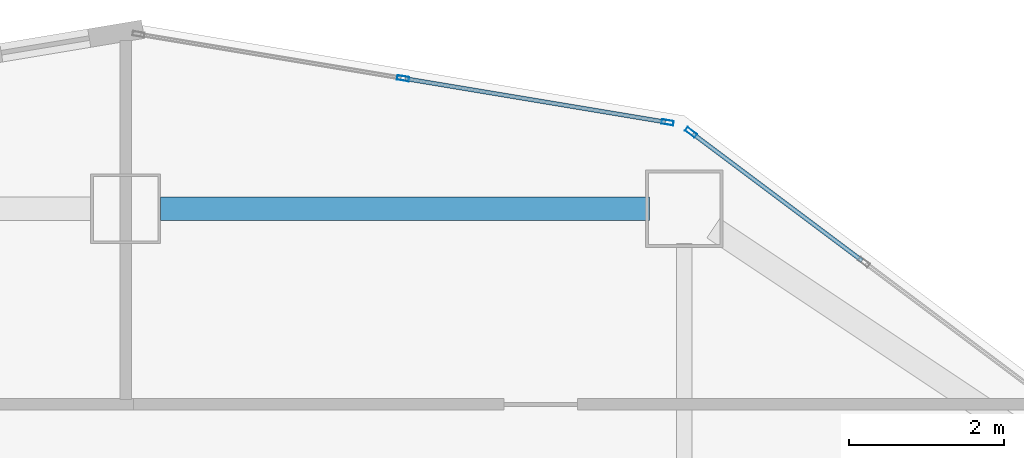
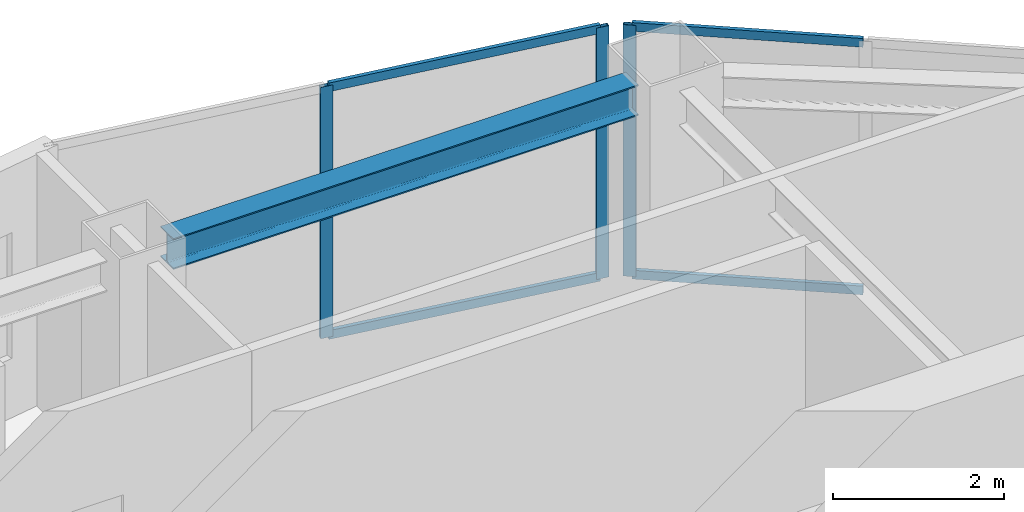
# One storey, part 4 of 15: 7 members, 1 beam, 2 elements without a shape of their own.
"""IFC4 building model written with IfcOpenShell, lengths in metres."""

from ifc_helpers import new_model, si_unit, direction, frame, origin, origin_2d, place, context, subcontext, project, spatial, hollow_rectangle, i_section, extrude, material, layer, layer_set, material_profile, profile_set, type_object, element, aggregate, save


model = new_model("IFC4")

# Units and contexts
model_context = context("Model", 3, precision=1e-05, world=origin(), true_north=direction((0.0, 1.0)))
body_context = subcontext(model_context, "Body", "Model", "MODEL_VIEW")
ifc_project = project(units=[si_unit("LENGTHUNIT", "METRE"), si_unit("AREAUNIT", "SQUARE_METRE"), si_unit("VOLUMEUNIT", "CUBIC_METRE"), si_unit("PLANEANGLEUNIT", "RADIAN"), si_unit("MASSUNIT", "GRAM", prefix="KILO")], contexts=[model_context])

# Site, building, storey
site_placement = place(None, origin())
site = spatial("IfcSite", under=ifc_project, at=site_placement, CompositionType="ELEMENT")
building_placement = place(site_placement, origin())
building = spatial("IfcBuilding", under=site, at=building_placement, Name="Haolan Belvedere Tower", CompositionType="ELEMENT")
storey_placement = place(building_placement, frame((0.0, 0.0, 152.39990234375)))
storey = spatial("IfcBuildingStorey", under=building, at=storey_placement, Name="L38", CompositionType="ELEMENT", Elevation=152.39990234375)

# Beam
ifc_material_1 = material(Name="Steel Q355B", Category="steel")
ifc_material_profile_1 = material_profile(ifc_material_1, i_section(OverallWidth=0.300048828125, OverallDepth=0.43994140625, WebThickness=0.010986328125, FlangeThickness=0.01806640625, FilletRadius=0.02392578125, at=origin_2d()), Name="Steel Q355B")
ifc_profile_set_1 = profile_set([ifc_material_profile_1], Name="Steel Q355B")
beam_type = type_object("IfcBeamType", Name="BM-HM440x300x11x18", PredefinedType="SPANDREL", material=ifc_profile_set_1)
beam_placement = place(storey_placement, frame((38.85009765625, 50.39990234375, 3.380126953125), z_axis=(1.0, 0.0, 0.0), x_axis=(0.0, 1.0, 0.0)))
element("IfcBeam", 1, at=beam_placement, inside=storey, type_object=beam_type, Name="L38 spandrel girder TC-T3-NM-MC-T3-N2", PredefinedType="SPANDREL", context=body_context, shape_type="SweptSolid", body=[
    extrude(i_section(OverallWidth=0.300048828125, OverallDepth=0.43994140625, WebThickness=0.010986328125, FlangeThickness=0.01806640625, FilletRadius=0.02392578125, at=origin_2d()), origin(), (0.0, 0.0, 1.0), 6.2998046875),
])

# Curtain wall, member
ifc_material_2 = material(Name="Anodised champagne-silver aluminium 6063-T6 and Low-E glass", Category="aluminium")
ifc_layer = layer(ifc_material_2, 0.155029296875, Name="Anodised champagne-silver aluminium 6063-T6 and Low-E glass")
ifc_layer_set = layer_set([ifc_layer], Name="Anodised champagne-silver aluminium 6063-T6 and Low-E glass")
curtain_wall_type = type_object("IfcCurtainWallType", Name="CW-SYS-03", PredefinedType="NOTDEFINED", material=ifc_layer_set)
curtain_wall_1_placement = place(storey_placement, origin())
curtain_wall_1 = element("IfcCurtainWall", 2, at=curtain_wall_1_placement, inside=storey, type_object=curtain_wall_type, Name="L38 CW-SYS-03 ribbon curtain wall 26.1", PredefinedType="NOTDEFINED")
ifc_material_3 = material(Name="Anodised aluminium 6063-T6", Category="aluminium")
ifc_material_profile_2 = material_profile(ifc_material_3, hollow_rectangle(XDim=0.05810546875, YDim=0.155029296875, WallThickness=0.00390625, at=origin_2d()), Name="Anodised aluminium 6063-T6")
ifc_profile_set_2 = profile_set([ifc_material_profile_2], Name="Anodised aluminium 6063-T6")
member_type_1 = type_object("IfcMemberType", Name="CW-SYS-03-MUL", PredefinedType="MULLION", material=ifc_profile_set_2)
member_1_placement = place(storey_placement, frame((45.6865234375, 51.385009765625, 0.0), z_axis=(0.0, 0.0, 1.0), x_axis=(-0.599994316874, -0.800004262313, 0.0)))
member_1 = element("IfcMember", 3, at=member_1_placement, type_object=member_type_1, Name="CW-03 mullion 3", PredefinedType="MULLION", context=body_context, shape_type="SweptSolid", body=[
    extrude(hollow_rectangle(XDim=0.05810546875, YDim=0.155029296875, WallThickness=0.00390625, at=origin_2d()), origin(), (0.0, 0.0, 1.0), 3.60009765625),
])

# Curtain wall, members
curtain_wall_2_placement = place(storey_placement, origin())
curtain_wall_2 = element("IfcCurtainWall", 4, at=curtain_wall_2_placement, inside=storey, type_object=curtain_wall_type, Name="L38 CW-SYS-03 ribbon curtain wall 27.1", PredefinedType="NOTDEFINED")
member_2_placement = place(storey_placement, frame((45.384765625, 51.51416015625, 0.0), z_axis=(0.0, 0.0, 1.0), x_axis=(-0.16440364043, -0.9863931483, 0.0)))
member_2 = element("IfcMember", 5, at=member_2_placement, type_object=member_type_1, Name="CW-03 mullion 1", PredefinedType="MULLION", context=body_context, shape_type="SweptSolid", body=[
    extrude(hollow_rectangle(XDim=0.05810546875, YDim=0.155029296875, WallThickness=0.00390625, at=origin_2d()), origin(), (0.0, 0.0, 1.0), 3.60009765625),
])
member_3_placement = place(storey_placement, frame((41.9755859375, 52.082275390625, 0.0), z_axis=(0.0, 0.0, 1.0), x_axis=(-0.16440364043, -0.9863931483, 0.0)))
member_3 = element("IfcMember", 6, at=member_3_placement, type_object=member_type_1, Name="CW-03 mullion 2", PredefinedType="MULLION", context=body_context, shape_type="SweptSolid", body=[
    extrude(hollow_rectangle(XDim=0.05810546875, YDim=0.155029296875, WallThickness=0.00390625, at=origin_2d()), origin(), (0.0, 0.0, 1.0), 3.60009765625),
])

# Member
ifc_material_profile_3 = material_profile(ifc_material_3, hollow_rectangle(XDim=0.053955078125, YDim=0.125, WallThickness=0.00390625, at=origin_2d()), Name="Anodised aluminium 6063-T6")
ifc_profile_set_3 = profile_set([ifc_material_profile_3], Name="Anodised aluminium 6063-T6")
member_type_2 = type_object("IfcMemberType", Name="CW-SYS-03-TRN", PredefinedType="USERDEFINED", material=ifc_profile_set_3)
member_4_placement = place(storey_placement, frame((47.892578125, 49.730712890625, 0.027099609375), z_axis=(-0.800032211306, 0.59995704919, 0.0), x_axis=(-0.59995704919, -0.800032211306, 0.0)))
member_4 = element("IfcMember", 7, at=member_4_placement, type_object=member_type_2, Name="CW-03 transom 2.1", ObjectType="TRANSOM", PredefinedType="USERDEFINED", context=body_context, shape_type="SweptSolid", body=[
    extrude(hollow_rectangle(XDim=0.053955078125, YDim=0.125, WallThickness=0.00390625, at=origin_2d()), origin(), (0.0, 0.0, 1.0), 2.728515625),
])

member_5_placement = place(storey_placement, frame((47.892578125, 49.730712890625, 3.572998046875), z_axis=(-0.800032211306, 0.59995704919, 0.0), x_axis=(-0.59995704919, -0.800032211306, 0.0)))
member_5 = element("IfcMember", 8, at=member_5_placement, type_object=member_type_2, Name="CW-03 transom 2.2", ObjectType="TRANSOM", PredefinedType="USERDEFINED", context=body_context, shape_type="SweptSolid", body=[
    extrude(hollow_rectangle(XDim=0.053955078125, YDim=0.125, WallThickness=0.00390625, at=origin_2d()), origin(), (0.0, 0.0, 1.0), 2.728515625),
])

aggregate(curtain_wall_1, [member_1, member_4, member_5])

member_6_placement = place(storey_placement, frame((45.356201171875, 51.51904296875, 0.027099609375), z_axis=(-0.986395865591, 0.16438733633, 0.0), x_axis=(-0.16438733633, -0.986395865591, 0.0)))
member_6 = element("IfcMember", 9, at=member_6_placement, type_object=member_type_2, Name="CW-03 transom 1.1", ObjectType="TRANSOM", PredefinedType="USERDEFINED", context=body_context, shape_type="SweptSolid", body=[
    extrude(hollow_rectangle(XDim=0.053955078125, YDim=0.125, WallThickness=0.00390625, at=origin_2d()), origin(), (0.0, 0.0, 1.0), 3.39794921875),
])

member_7_placement = place(storey_placement, frame((45.356201171875, 51.51904296875, 3.572998046875), z_axis=(-0.986395865591, 0.16438733633, 0.0), x_axis=(-0.16438733633, -0.986395865591, 0.0)))
member_7 = element("IfcMember", 10, at=member_7_placement, type_object=member_type_2, Name="CW-03 transom 1.2", ObjectType="TRANSOM", PredefinedType="USERDEFINED", context=body_context, shape_type="SweptSolid", body=[
    extrude(hollow_rectangle(XDim=0.053955078125, YDim=0.125, WallThickness=0.00390625, at=origin_2d()), origin(), (0.0, 0.0, 1.0), 3.39794921875),
])

aggregate(curtain_wall_2, [member_2, member_3, member_6, member_7])

save(model, "model.ifc")
